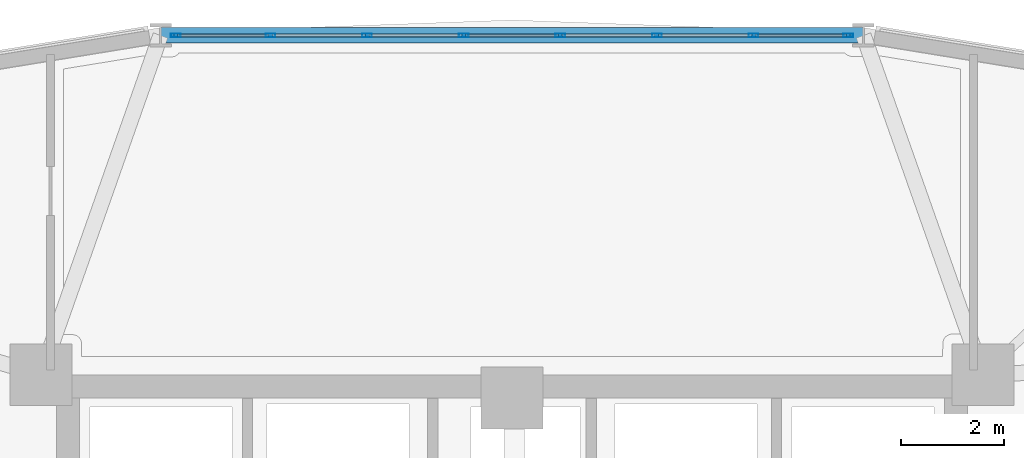
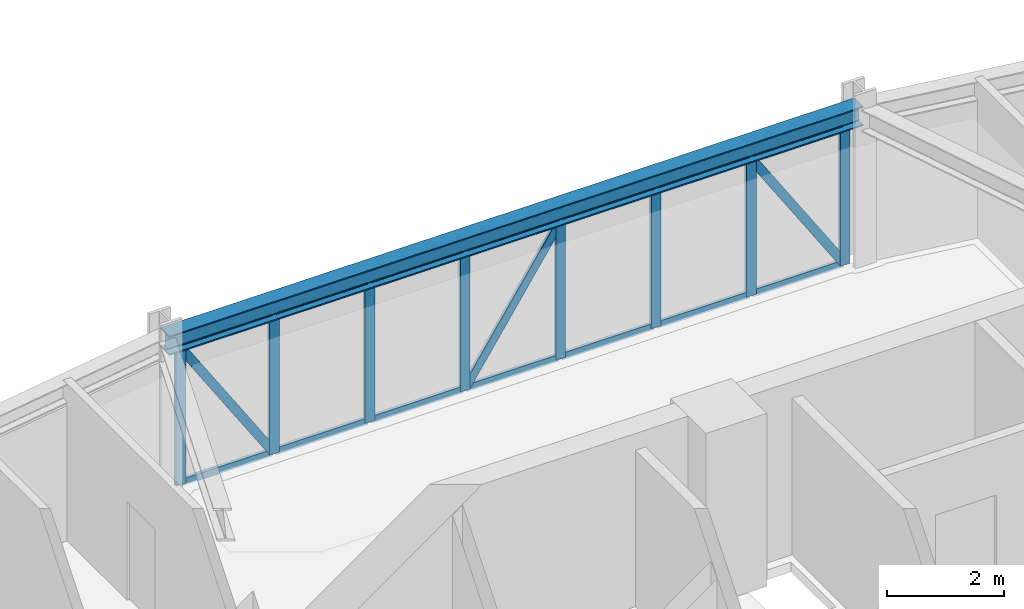
# One storey, part 8 of 17: 25 members, 1 beam, 1 element without a shape of its own.
"""IFC4 building model written with IfcOpenShell, lengths in metres."""

import ifcopenshell
import ifcopenshell.guid

model = None  # the IFC model being written
_history = None  # IfcOwnerHistory: only IFC2X3 demands one
_inside = {}  # id of a spatial element -> (the spatial element, [elements in it])
_under = {}  # id of a project, library or spatial element -> (it, [spatial elements below it])
_declared = {}  # id of a project -> (the project, [libraries it declares])
_typed = {}  # id of a type object -> (the type object, [elements of that type])
_made_of = {}  # id of a material, layer set ... -> (it, [elements and type objects made of it])


def new_model(schema):
    """Start an empty IFC model of exactly this schema.

    Asked for "IFC4X3", IfcOpenShell would pick the latest addendum, in which some entities
    have other attributes; the version numbers below select the first issue.
    IFC2X3 requires an IfcOwnerHistory on every rooted entity: one is made here for all.
    """
    global model, _history
    if schema == "IFC4X3":
        model = ifcopenshell.file(schema_version=(4, 3, 0, 0))
    else:
        model = ifcopenshell.file(schema=schema)
    _inside.clear()
    _under.clear()
    _declared.clear()
    _typed.clear()
    _made_of.clear()
    _history = None
    if model.schema == "IFC2X3":
        org = make("IfcOrganization", Name="unknown")
        user = make(
            "IfcPersonAndOrganization",
            ThePerson=make("IfcPerson", FamilyName="unknown"),
            TheOrganization=org,
        )
        app = make(
            "IfcApplication",
            ApplicationDeveloper=org,
            Version="unknown",
            ApplicationFullName="unknown",
            ApplicationIdentifier="unknown",
        )
        _history = make(
            "IfcOwnerHistory",
            OwningUser=user,
            OwningApplication=app,
            ChangeAction="ADDED",
            CreationDate=0,
        )
    return model


def make(cls, **values):
    """One entity of the class cls with the attributes given. An attribute that is None is left unset."""
    return model.create_entity(
        cls, **{name: value for name, value in values.items() if value is not None}
    )


def rooted(cls, **values):
    """An entity with a GlobalId (a new one), such as an element, a storey or a relation."""
    return make(cls, GlobalId=ifcopenshell.guid.new(), OwnerHistory=_history, **values)


def si_unit(unit_type, name, prefix=None):
    """IfcSIUnit, for example si_unit("LENGTHUNIT", "METRE", prefix="MILLI")."""
    return make("IfcSIUnit", UnitType=unit_type, Prefix=prefix, Name=name)


def derived_unit(unit_type, elements):
    """IfcDerivedUnit: a product of units, each with its exponent."""
    return make(
        "IfcDerivedUnit",
        Elements=[
            make("IfcDerivedUnitElement", Unit=unit, Exponent=power)
            for unit, power in elements
        ],
        UnitType=unit_type,
    )


def assignment(units):
    """IfcUnitAssignment: the units of a project."""
    return None if units is None else make("IfcUnitAssignment", Units=units)


def point(xyz):
    """IfcCartesianPoint."""
    return None if xyz is None else make("IfcCartesianPoint", Coordinates=xyz)


def direction(xyz):
    """IfcDirection."""
    return None if xyz is None else make("IfcDirection", DirectionRatios=xyz)


def frame(location, z_axis=None, x_axis=None):
    """IfcAxis2Placement3D, a coordinate frame: its origin and axes. An axis left out is left unset."""
    return make(
        "IfcAxis2Placement3D",
        Location=point(location),
        Axis=direction(z_axis),
        RefDirection=direction(x_axis),
    )


def frame_2d(location, x_axis=None):
    """IfcAxis2Placement2D, a coordinate frame in the plane: its origin and x axis."""
    return make(
        "IfcAxis2Placement2D", Location=point(location), RefDirection=direction(x_axis)
    )


def origin():
    """The frame at (0, 0, 0) with its axes left unset."""
    return frame((0.0, 0.0, 0.0))


def origin_2d():
    """The frame at (0, 0) in the plane with its x axis left unset."""
    return frame_2d((0.0, 0.0))


def place(relative_to, where):
    """IfcLocalPlacement: puts the frame where relative to a parent placement (None: the world)."""
    return make(
        "IfcLocalPlacement", PlacementRelTo=relative_to, RelativePlacement=where
    )


def context(
    kind, dimensions, precision=None, world=None, true_north=None, identifier=None
):
    """IfcGeometricRepresentationContext, for example the 3D "Model" context."""
    return make(
        "IfcGeometricRepresentationContext",
        ContextIdentifier=identifier,
        ContextType=kind,
        CoordinateSpaceDimension=dimensions,
        Precision=precision,
        WorldCoordinateSystem=world,
        TrueNorth=true_north,
    )


def subcontext(parent, identifier, kind, view, scale=None):
    """IfcGeometricRepresentationSubContext, for example "Body" below "Model"."""
    return make(
        "IfcGeometricRepresentationSubContext",
        ContextIdentifier=identifier,
        ContextType=kind,
        ParentContext=parent,
        TargetScale=scale,
        TargetView=view,
    )


def project(units=None, contexts=None):
    """IfcProject with its units and contexts."""
    return rooted(
        "IfcProject",
        Name="project",
        RepresentationContexts=contexts,
        UnitsInContext=assignment(units),
    )


def spatial(cls, under=None, at=None, **own):
    """A site, building, storey or space (cls), placed at a placement, below another one or the project."""
    s = rooted(cls, ObjectPlacement=at, **own)
    if under is not None:
        _under.setdefault(under.id(), (under, []))[1].append(s)
    return s


def profile(cls, at=None, kind="AREA", **sizes):
    """A parametric profile (cls). Its sizes go by their IFC names, for example OverallWidth=200.0."""
    return make(cls, ProfileType=kind, Position=at, **sizes)


def hollow_rectangle(**sizes):
    """IfcRectangleHollowProfileDef."""
    return profile("IfcRectangleHollowProfileDef", **sizes)


def i_section(**sizes):
    """IfcIShapeProfileDef."""
    return profile("IfcIShapeProfileDef", **sizes)


def extrude(swept, where, along, depth):
    """IfcExtrudedAreaSolid: the profile swept, set in the frame where, extruded along a direction by depth."""
    return make(
        "IfcExtrudedAreaSolid",
        SweptArea=swept,
        Position=where,
        ExtrudedDirection=direction(along),
        Depth=depth,
    )


def shape(context_of_items, identifier, shape_type, items):
    """IfcShapeRepresentation: the items that make up one representation, for example the "Body"."""
    return make(
        "IfcShapeRepresentation",
        ContextOfItems=context_of_items,
        RepresentationIdentifier=identifier,
        RepresentationType=shape_type,
        Items=items,
    )


def source(mapping_origin, context_of_items, identifier, shape_type, items):
    """IfcRepresentationMap: a shape defined once, which mapped items show again and again."""
    return make(
        "IfcRepresentationMap",
        MappingOrigin=mapping_origin,
        MappedRepresentation=shape(context_of_items, identifier, shape_type, items),
    )


def transform(
    local_origin,
    x_axis=None,
    y_axis=None,
    z_axis=None,
    scale=None,
    scale2=None,
    scale3=None,
    uniform=True,
):
    """IfcCartesianTransformationOperator3D, or its non-uniform kind. x_axis, y_axis, z_axis: its Axis1, 2, 3."""
    if uniform:
        return make(
            "IfcCartesianTransformationOperator3D",
            Axis1=direction(x_axis),
            Axis2=direction(y_axis),
            LocalOrigin=point(local_origin),
            Scale=scale,
            Axis3=direction(z_axis),
        )
    return make(
        "IfcCartesianTransformationOperator3DnonUniform",
        Axis1=direction(x_axis),
        Axis2=direction(y_axis),
        LocalOrigin=point(local_origin),
        Scale=scale,
        Axis3=direction(z_axis),
        Scale2=scale2,
        Scale3=scale3,
    )


def mapped(mapping_source, mapping_target):
    """IfcMappedItem: shows the shape of a source again, moved by a transform."""
    return make(
        "IfcMappedItem", MappingSource=mapping_source, MappingTarget=mapping_target
    )


def material(Name=None, Category=None):
    """IfcMaterial."""
    return make("IfcMaterial", Name=Name, Category=Category)


def layer(
    of_material, thickness, ventilated=None, Name=None, Category=None, Priority=None
):
    """IfcMaterialLayer: one layer of a wall or slab, of a material (None: an air gap)."""
    return make(
        "IfcMaterialLayer",
        Material=of_material,
        LayerThickness=thickness,
        IsVentilated=ventilated,
        Name=Name,
        Category=Category,
        Priority=Priority,
    )


def layer_set(layers, Name=None):
    """IfcMaterialLayerSet."""
    return make("IfcMaterialLayerSet", MaterialLayers=layers, LayerSetName=Name)


def material_profile(
    of_material, cross_section, Name=None, Category=None, Priority=None
):
    """IfcMaterialProfile: a cross section and its material."""
    return make(
        "IfcMaterialProfile",
        Name=Name,
        Material=of_material,
        Profile=cross_section,
        Priority=Priority,
        Category=Category,
    )


def profile_set(profiles, Name=None, composite=None):
    """IfcMaterialProfileSet."""
    return make(
        "IfcMaterialProfileSet",
        Name=Name,
        MaterialProfiles=profiles,
        CompositeProfile=composite,
    )


def made_of(thing, what):
    """Note that an element or type object is made of a material, layer set ...; save() writes the relation."""
    if what is not None:
        _made_of.setdefault(what.id(), (what, []))[1].append(thing)
    return thing


def type_object(cls, material=None, **own):
    """A type object (cls), such as IfcWallType, which elements share."""
    return made_of(rooted(cls, **own), material)


def element(
    cls,
    number,
    at=None,
    inside=None,
    cuts=None,
    type_object=None,
    material=None,
    context=None,
    identifier="Body",
    shape_type=None,
    held_by="IfcProductDefinitionShape",
    body=None,
    shapes=None,
    **own,
):
    """One element of the class cls, such as IfcWall. Its Tag is "e" and its number.

    at: its placement. inside: the storey or other place that contains it. cuts: it is an
    opening in that element (IfcRelVoidsElement). A single representation is given by context,
    identifier, shape_type and body (its items); several are given by shapes. held_by: the class
    of the entity that holds the representations. save() writes the other relations.
    """
    e = rooted(cls, Tag="e%d" % number, ObjectPlacement=at, **own)
    if body is not None:
        shapes = [shape(context, identifier, shape_type, body)]
    if shapes is not None:
        e.Representation = make(held_by, Representations=shapes)
    if inside is not None:
        _inside.setdefault(inside.id(), (inside, []))[1].append(e)
    if cuts is not None:
        rooted(
            "IfcRelVoidsElement", RelatingBuildingElement=cuts, RelatedOpeningElement=e
        )
    if type_object is not None:
        _typed.setdefault(type_object.id(), (type_object, []))[1].append(e)
    return made_of(e, material)


def aggregate(whole, parts):
    """IfcRelAggregates: a whole, such as a stair, and the parts it consists of."""
    return rooted("IfcRelAggregates", RelatingObject=whole, RelatedObjects=parts)


def save(model, path):
    """Write the relations noted so far, then the file.

    IfcRelAggregates (storeys below a building ...), IfcRelContainedInSpatialStructure (elements
    in a storey), IfcRelDefinesByType, IfcRelAssociatesMaterial and IfcRelDeclares: one each for
    every whole, place, type object, material and project.
    """
    for whole, parts in _under.values():
        aggregate(whole, parts)
    for where, things in _inside.values():
        rooted(
            "IfcRelContainedInSpatialStructure",
            RelatedElements=things,
            RelatingStructure=where,
        )
    for kind, things in _typed.values():
        rooted("IfcRelDefinesByType", RelatedObjects=things, RelatingType=kind)
    for what, things in _made_of.values():
        rooted("IfcRelAssociatesMaterial", RelatedObjects=things, RelatingMaterial=what)
    for by, libraries in _declared.values():
        rooted("IfcRelDeclares", RelatingContext=by, RelatedDefinitions=libraries)
    model.write(path)


model = new_model("IFC4")

# Units and contexts
model_context = context("Model", 3, precision=1e-05, world=origin(), true_north=direction((0.0, 1.0)))
body_context = subcontext(model_context, "Body", "Model", "MODEL_VIEW")
ifc_project = project(units=[si_unit("LENGTHUNIT", "METRE"), si_unit("AREAUNIT", "SQUARE_METRE"), si_unit("VOLUMEUNIT", "CUBIC_METRE"), si_unit("PLANEANGLEUNIT", "RADIAN"), si_unit("MASSUNIT", "GRAM", prefix="KILO"), derived_unit("THERMALTRANSMITTANCEUNIT", [(si_unit("POWERUNIT", "WATT"), 1), (si_unit("LENGTHUNIT", "METRE"), -2), (si_unit("THERMODYNAMICTEMPERATUREUNIT", "KELVIN"), -1)])], contexts=[model_context])

# Site, building, storey
site_placement = place(None, origin())
site = spatial("IfcSite", under=ifc_project, at=site_placement, CompositionType="ELEMENT")
building_placement = place(site_placement, origin())
building = spatial("IfcBuilding", under=site, at=building_placement, Name="Korsvarv Bourse and Concert Hall", CompositionType="ELEMENT")
storey_placement = place(building_placement, frame((0.0, 0.0, 127.800048828125)))
storey = spatial("IfcBuildingStorey", under=building, at=storey_placement, Name="L32", CompositionType="ELEMENT", Elevation=127.800048828125)

# Beam
ifc_material_1 = material(Name="Steel S355", Category="steel")
ifc_material_profile_1 = material_profile(ifc_material_1, i_section(OverallWidth=0.300048828125, OverallDepth=0.39990234375, WebThickness=0.013427734375, FlangeThickness=0.02392578125, FilletRadius=0.02099609375, at=origin_2d()), Name="HEB 400")
ifc_profile_set_1 = profile_set([ifc_material_profile_1], Name="Steel S355")
beam_type = type_object("IfcBeamType", Name="BM-HEB400", PredefinedType="SPANDREL", material=ifc_profile_set_1)
shared_shape_1 = source(origin(), body_context, "Body", "SweptSolid", [
    extrude(i_section(OverallWidth=0.300048828125, OverallDepth=0.39990234375, WebThickness=0.013427734375, FlangeThickness=0.02392578125, FilletRadius=0.02099609375, at=origin_2d()), origin(), (0.0, 0.0, 1.0), 13.6533203125),
])
beam_placement = place(storey_placement, frame((42.82666015625, 53.84130859375, 3.06005859375), z_axis=(-1.0, 0.0, 0.0), x_axis=(0.0, -1.0, 0.0)))
element("IfcBeam", 1, at=beam_placement, inside=storey, type_object=beam_type, Name="L32 beam B-09", PredefinedType="SPANDREL", context=body_context, shape_type="MappedRepresentation", body=[
    mapped(shared_shape_1, transform((0.0, 0.0, 0.0), scale=1.0)),
])

# Curtain wall, members
ifc_material_2 = material(Name="Anodised aluminium and triple low-E glazing", Category="glass")
ifc_layer = layer(ifc_material_2, 0.2099609375)
ifc_layer_set = layer_set([ifc_layer], Name="Anodised aluminium and triple low-E glazing")
curtain_wall_type = type_object("IfcCurtainWallType", Name="CW-SYS-2", PredefinedType="NOTDEFINED", material=ifc_layer_set)
curtain_wall_placement = place(storey_placement, origin())
curtain_wall = element("IfcCurtainWall", 2, at=curtain_wall_placement, inside=storey, type_object=curtain_wall_type, Name="L32 CW2 curtain wall CW-L32-F03", PredefinedType="NOTDEFINED")
ifc_material_3 = material(Name="Extruded aluminium EN AW-6063 T66", Category="aluminium")
ifc_material_profile_2 = material_profile(ifc_material_3, hollow_rectangle(XDim=0.06494140625, YDim=0.139892578125, WallThickness=0.00390625, at=origin_2d()), Name="ALU-T 65x140")
ifc_profile_set_2 = profile_set([ifc_material_profile_2], Name="Extruded aluminium EN AW-6063 T66")
member_type_1 = type_object("IfcMemberType", Name="CWT-140", PredefinedType="USERDEFINED", material=ifc_profile_set_2)
shared_shape_2 = source(origin(), body_context, "Body", "SweptSolid", [
    extrude(hollow_rectangle(XDim=0.06494140625, YDim=0.139892578125, WallThickness=0.00390625, at=origin_2d()), origin(), (0.0, 0.0, 1.0), 1.771484375),
])
member_1_placement = place(storey_placement, frame((42.497802734375, 53.84130859375, 0.032470703125), z_axis=(-1.0, 0.0, 0.0), x_axis=(0.0, -1.0, 0.0)))
member_1 = element("IfcMember", 3, at=member_1_placement, type_object=member_type_1, Name="CW2 transom 1.1", ObjectType="TRANSOM", PredefinedType="USERDEFINED", context=body_context, shape_type="MappedRepresentation", body=[
    mapped(shared_shape_2, transform((0.0, 0.0, 0.0), scale=1.0)),
])
member_2_placement = place(storey_placement, frame((42.497802734375, 53.84130859375, 2.827392578125), z_axis=(-1.0, 0.0, 0.0), x_axis=(0.0, -1.0, 0.0)))
member_2 = element("IfcMember", 4, at=member_2_placement, type_object=member_type_1, Name="CW2 transom 1.2", ObjectType="TRANSOM", PredefinedType="USERDEFINED", context=body_context, shape_type="MappedRepresentation", body=[
    mapped(shared_shape_2, transform((0.0, 0.0, 0.0), scale=1.0)),
])
member_3_placement = place(storey_placement, frame((31.273681640625, 53.84130859375, 0.032470703125), z_axis=(-1.0, 0.0, 0.0), x_axis=(0.0, -1.0, 0.0)))
member_3 = element("IfcMember", 5, at=member_3_placement, type_object=member_type_1, Name="CW2 transom 7.1", ObjectType="TRANSOM", PredefinedType="USERDEFINED", context=body_context, shape_type="MappedRepresentation", body=[
    mapped(shared_shape_2, transform((0.0, 0.0, 0.0), scale=1.0)),
])
member_4_placement = place(storey_placement, frame((31.273681640625, 53.84130859375, 2.827392578125), z_axis=(-1.0, 0.0, 0.0), x_axis=(0.0, -1.0, 0.0)))
member_4 = element("IfcMember", 6, at=member_4_placement, type_object=member_type_1, Name="CW2 transom 7.2", ObjectType="TRANSOM", PredefinedType="USERDEFINED", context=body_context, shape_type="MappedRepresentation", body=[
    mapped(shared_shape_2, transform((0.0, 0.0, 0.0), scale=1.0)),
])
shared_shape_3 = source(origin(), body_context, "Body", "SweptSolid", [
    extrude(hollow_rectangle(XDim=0.06494140625, YDim=0.139892578125, WallThickness=0.00390625, at=origin_2d()), origin(), (0.0, 0.0, 1.0), 1.806640625),
])
member_5_placement = place(storey_placement, frame((40.65625, 53.84130859375, 0.032470703125), z_axis=(-1.0, 0.0, 0.0), x_axis=(0.0, -1.0, 0.0)))
member_5 = element("IfcMember", 7, at=member_5_placement, type_object=member_type_1, Name="CW2 transom 2.1", ObjectType="TRANSOM", PredefinedType="USERDEFINED", context=body_context, shape_type="MappedRepresentation", body=[
    mapped(shared_shape_3, transform((0.0, 0.0, 0.0), scale=1.0)),
])
member_6_placement = place(storey_placement, frame((40.65625, 53.84130859375, 2.827392578125), z_axis=(-1.0, 0.0, 0.0), x_axis=(0.0, -1.0, 0.0)))
member_6 = element("IfcMember", 8, at=member_6_placement, type_object=member_type_1, Name="CW2 transom 2.2", ObjectType="TRANSOM", PredefinedType="USERDEFINED", context=body_context, shape_type="MappedRepresentation", body=[
    mapped(shared_shape_3, transform((0.0, 0.0, 0.0), scale=1.0)),
])
member_7_placement = place(storey_placement, frame((38.77978515625, 53.84130859375, 0.032470703125), z_axis=(-1.0, 0.0, 0.0), x_axis=(0.0, -1.0, 0.0)))
member_7 = element("IfcMember", 9, at=member_7_placement, type_object=member_type_1, Name="CW2 transom 3.1", ObjectType="TRANSOM", PredefinedType="USERDEFINED", context=body_context, shape_type="MappedRepresentation", body=[
    mapped(shared_shape_3, transform((0.0, 0.0, 0.0), scale=1.0)),
])
member_8_placement = place(storey_placement, frame((38.77978515625, 53.84130859375, 2.827392578125), z_axis=(-1.0, 0.0, 0.0), x_axis=(0.0, -1.0, 0.0)))
member_8 = element("IfcMember", 10, at=member_8_placement, type_object=member_type_1, Name="CW2 transom 3.2", ObjectType="TRANSOM", PredefinedType="USERDEFINED", context=body_context, shape_type="MappedRepresentation", body=[
    mapped(shared_shape_3, transform((0.0, 0.0, 0.0), scale=1.0)),
])
member_9_placement = place(storey_placement, frame((36.9033203125, 53.84130859375, 0.032470703125), z_axis=(-1.0, 0.0, 0.0), x_axis=(0.0, -1.0, 0.0)))
member_9 = element("IfcMember", 11, at=member_9_placement, type_object=member_type_1, Name="CW2 transom 4.1", ObjectType="TRANSOM", PredefinedType="USERDEFINED", context=body_context, shape_type="MappedRepresentation", body=[
    mapped(shared_shape_3, transform((0.0, 0.0, 0.0), scale=1.0)),
])
member_10_placement = place(storey_placement, frame((36.9033203125, 53.84130859375, 2.827392578125), z_axis=(-1.0, 0.0, 0.0), x_axis=(0.0, -1.0, 0.0)))
member_10 = element("IfcMember", 12, at=member_10_placement, type_object=member_type_1, Name="CW2 transom 4.2", ObjectType="TRANSOM", PredefinedType="USERDEFINED", context=body_context, shape_type="MappedRepresentation", body=[
    mapped(shared_shape_3, transform((0.0, 0.0, 0.0), scale=1.0)),
])
member_11_placement = place(storey_placement, frame((35.02685546875, 53.84130859375, 0.032470703125), z_axis=(-1.0, 0.0, 0.0), x_axis=(0.0, -1.0, 0.0)))
member_11 = element("IfcMember", 13, at=member_11_placement, type_object=member_type_1, Name="CW2 transom 5.1", ObjectType="TRANSOM", PredefinedType="USERDEFINED", context=body_context, shape_type="MappedRepresentation", body=[
    mapped(shared_shape_3, transform((0.0, 0.0, 0.0), scale=1.0)),
])
member_12_placement = place(storey_placement, frame((35.02685546875, 53.84130859375, 2.827392578125), z_axis=(-1.0, 0.0, 0.0), x_axis=(0.0, -1.0, 0.0)))
member_12 = element("IfcMember", 14, at=member_12_placement, type_object=member_type_1, Name="CW2 transom 5.2", ObjectType="TRANSOM", PredefinedType="USERDEFINED", context=body_context, shape_type="MappedRepresentation", body=[
    mapped(shared_shape_3, transform((0.0, 0.0, 0.0), scale=1.0)),
])
member_13_placement = place(storey_placement, frame((33.150390625, 53.84130859375, 0.032470703125), z_axis=(-1.0, 0.0, 0.0), x_axis=(0.0, -1.0, 0.0)))
member_13 = element("IfcMember", 15, at=member_13_placement, type_object=member_type_1, Name="CW2 transom 6.1", ObjectType="TRANSOM", PredefinedType="USERDEFINED", context=body_context, shape_type="MappedRepresentation", body=[
    mapped(shared_shape_3, transform((0.0, 0.0, 0.0), scale=1.0)),
])
member_14_placement = place(storey_placement, frame((33.150390625, 53.84130859375, 2.827392578125), z_axis=(-1.0, 0.0, 0.0), x_axis=(0.0, -1.0, 0.0)))
member_14 = element("IfcMember", 16, at=member_14_placement, type_object=member_type_1, Name="CW2 transom 6.2", ObjectType="TRANSOM", PredefinedType="USERDEFINED", context=body_context, shape_type="MappedRepresentation", body=[
    mapped(shared_shape_3, transform((0.0, 0.0, 0.0), scale=1.0)),
])
ifc_material_profile_3 = material_profile(ifc_material_3, hollow_rectangle(XDim=0.070068359375, YDim=0.18994140625, WallThickness=0.0048828125, at=origin_2d()), Name="ALU-M 70x190")
ifc_profile_set_3 = profile_set([ifc_material_profile_3], Name="Extruded aluminium EN AW-6063 T66")
member_type_2 = type_object("IfcMemberType", Name="CWM-190", PredefinedType="MULLION", material=ifc_profile_set_3)
shared_shape_4 = source(origin(), body_context, "Body", "SweptSolid", [
    extrude(hollow_rectangle(XDim=0.070068359375, YDim=0.18994140625, WallThickness=0.0048828125, at=origin_2d()), origin(), (0.0, 0.0, 1.0), 2.85986328125),
])
member_15_placement = place(storey_placement, frame((42.53271484375, 53.84130859375, 0.0), z_axis=(0.0, 0.0, 1.0), x_axis=(0.0, -1.0, 0.0)))
member_15 = element("IfcMember", 17, at=member_15_placement, type_object=member_type_2, Name="CW2 mullion 1", PredefinedType="MULLION", context=body_context, shape_type="MappedRepresentation", body=[
    mapped(shared_shape_4, transform((0.0, 0.0, 0.0), scale=1.0)),
])
member_16_placement = place(storey_placement, frame((40.691162109375, 53.84130859375, 0.0), z_axis=(0.0, 0.0, 1.0), x_axis=(0.0, -1.0, 0.0)))
member_16 = element("IfcMember", 18, at=member_16_placement, type_object=member_type_2, Name="CW2 mullion 2", PredefinedType="MULLION", context=body_context, shape_type="MappedRepresentation", body=[
    mapped(shared_shape_4, transform((0.0, 0.0, 0.0), scale=1.0)),
])
member_17_placement = place(storey_placement, frame((38.814697265625, 53.84130859375, 0.0), z_axis=(0.0, 0.0, 1.0), x_axis=(0.0, -1.0, 0.0)))
member_17 = element("IfcMember", 19, at=member_17_placement, type_object=member_type_2, Name="CW2 mullion 3", PredefinedType="MULLION", context=body_context, shape_type="MappedRepresentation", body=[
    mapped(shared_shape_4, transform((0.0, 0.0, 0.0), scale=1.0)),
])
member_18_placement = place(storey_placement, frame((36.938232421875, 53.84130859375, 0.0), z_axis=(0.0, 0.0, 1.0), x_axis=(0.0, -1.0, 0.0)))
member_18 = element("IfcMember", 20, at=member_18_placement, type_object=member_type_2, Name="CW2 mullion 4", PredefinedType="MULLION", context=body_context, shape_type="MappedRepresentation", body=[
    mapped(shared_shape_4, transform((0.0, 0.0, 0.0), scale=1.0)),
])
member_19_placement = place(storey_placement, frame((35.061767578125, 53.84130859375, 0.0), z_axis=(0.0, 0.0, 1.0), x_axis=(0.0, -1.0, 0.0)))
member_19 = element("IfcMember", 21, at=member_19_placement, type_object=member_type_2, Name="CW2 mullion 5", PredefinedType="MULLION", context=body_context, shape_type="MappedRepresentation", body=[
    mapped(shared_shape_4, transform((0.0, 0.0, 0.0), scale=1.0)),
])
member_20_placement = place(storey_placement, frame((33.185302734375, 53.84130859375, 0.0), z_axis=(0.0, 0.0, 1.0), x_axis=(0.0, -1.0, 0.0)))
member_20 = element("IfcMember", 22, at=member_20_placement, type_object=member_type_2, Name="CW2 mullion 6", PredefinedType="MULLION", context=body_context, shape_type="MappedRepresentation", body=[
    mapped(shared_shape_4, transform((0.0, 0.0, 0.0), scale=1.0)),
])
member_21_placement = place(storey_placement, frame((31.308837890625, 53.84130859375, 0.0), z_axis=(0.0, 0.0, 1.0), x_axis=(0.0, -1.0, 0.0)))
member_21 = element("IfcMember", 23, at=member_21_placement, type_object=member_type_2, Name="CW2 mullion 7", PredefinedType="MULLION", context=body_context, shape_type="MappedRepresentation", body=[
    mapped(shared_shape_4, transform((0.0, 0.0, 0.0), scale=1.0)),
])
member_22_placement = place(storey_placement, frame((29.46728515625, 53.84130859375, 0.0), z_axis=(0.0, 0.0, 1.0), x_axis=(0.0, -1.0, 0.0)))
member_22 = element("IfcMember", 24, at=member_22_placement, type_object=member_type_2, Name="CW2 mullion 8", PredefinedType="MULLION", context=body_context, shape_type="MappedRepresentation", body=[
    mapped(shared_shape_4, transform((0.0, 0.0, 0.0), scale=1.0)),
])
ifc_material_profile_4 = material_profile(ifc_material_3, hollow_rectangle(XDim=0.06494140625, YDim=0.1650390625, WallThickness=0.0048828125, at=origin_2d()), Name="ALU-M 65x165")
ifc_profile_set_4 = profile_set([ifc_material_profile_4], Name="Extruded aluminium EN AW-6063 T66")
member_type_3 = type_object("IfcMemberType", Name="CWM-165", PredefinedType="MULLION", material=ifc_profile_set_4)
shared_shape_5 = source(origin(), body_context, "Body", "SweptSolid", [
    extrude(hollow_rectangle(XDim=0.06494140625, YDim=0.1650390625, WallThickness=0.0048828125, at=origin_2d()), origin(), (0.0, 0.0, 1.0), 3.25439453125),
])
member_23_placement = place(storey_placement, frame((42.497802734375, 53.84130859375, 0.06494140625), z_axis=(-0.544339515086, 0.0, 0.838865002438), x_axis=(0.0, -1.0, 0.0)))
member_23 = element("IfcMember", 25, at=member_23_placement, type_object=member_type_3, Name="CW2 diagonal mullion 1", PredefinedType="MULLION", context=body_context, shape_type="MappedRepresentation", body=[
    mapped(shared_shape_5, transform((0.0, 0.0, 0.0), scale=1.0)),
])
member_24_placement = place(storey_placement, frame((31.273681640625, 53.84130859375, 0.06494140625), z_axis=(-0.544339515086, 0.0, 0.838865002438), x_axis=(0.0, -1.0, 0.0)))
member_24 = element("IfcMember", 26, at=member_24_placement, type_object=member_type_3, Name="CW2 diagonal mullion 7", PredefinedType="MULLION", context=body_context, shape_type="MappedRepresentation", body=[
    mapped(shared_shape_5, transform((0.0, 0.0, 0.0), scale=1.0)),
])
shared_shape_6 = source(origin(), body_context, "Body", "SweptSolid", [
    extrude(hollow_rectangle(XDim=0.06494140625, YDim=0.1650390625, WallThickness=0.0048828125, at=origin_2d()), origin(), (0.0, 0.0, 1.0), 3.273681640625),
])
member_25_placement = place(storey_placement, frame((35.0966796875, 53.84130859375, 0.06494140625), z_axis=(0.551874527956, 0.0, 0.833927158326), x_axis=(0.0, 1.0, 0.0)))
member_25 = element("IfcMember", 27, at=member_25_placement, type_object=member_type_3, Name="CW2 diagonal mullion 4", PredefinedType="MULLION", context=body_context, shape_type="MappedRepresentation", body=[
    mapped(shared_shape_6, transform((0.0, 0.0, 0.0), scale=1.0)),
])
aggregate(curtain_wall, [member_15, member_16, member_17, member_18, member_19, member_20, member_21, member_22, member_1, member_2, member_23, member_5, member_6, member_7, member_8, member_9, member_10, member_25, member_11, member_12, member_13, member_14, member_3, member_4, member_24])

save(model, "model.ifc")
